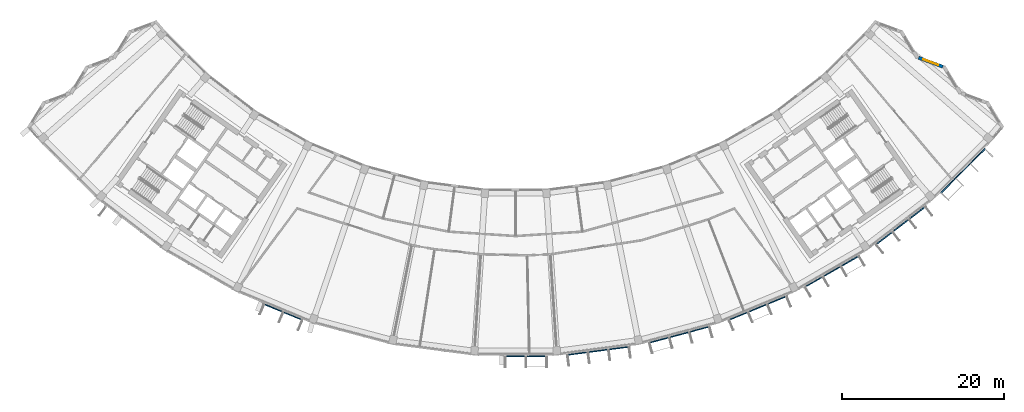
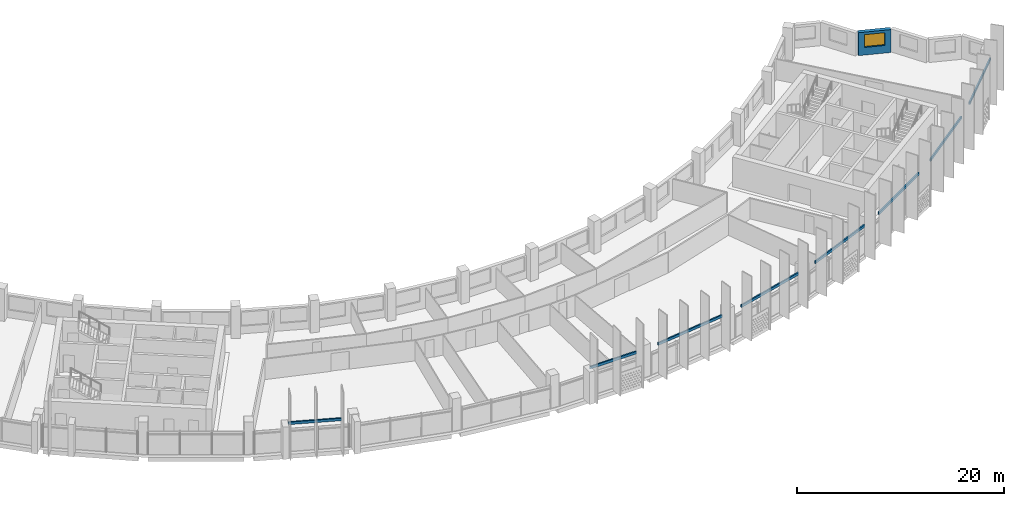
# One storey, part 8 of 28: 8 discrete accessories, 1 wall, 1 window, 1 opening.
"""IFC4 building model written with IfcOpenShell, lengths in metres."""

from ifc_helpers import new_model, si_unit, direction, frame, frame_2d, origin, origin_2d, place, context, subcontext, project, spatial, rectangle, extrude, material, layer, layer_set, type_object, element, fill, save


model = new_model("IFC4")

# Units and contexts
model_context = context("Model", 3, precision=1e-05, world=origin(), true_north=direction((0.0, 1.0)))
body_context = subcontext(model_context, "Body", "Model", "MODEL_VIEW")
ifc_project = project(units=[si_unit("LENGTHUNIT", "METRE"), si_unit("AREAUNIT", "SQUARE_METRE"), si_unit("VOLUMEUNIT", "CUBIC_METRE"), si_unit("PLANEANGLEUNIT", "RADIAN"), si_unit("MASSUNIT", "GRAM", prefix="KILO")], contexts=[model_context])

# Site, building, storey
site_placement = place(None, origin())
site = spatial("IfcSite", under=ifc_project, at=site_placement, CompositionType="ELEMENT")
building_placement = place(site_placement, origin())
building = spatial("IfcBuilding", under=site, at=building_placement, Name="Qamariyya Broadcast Tower", CompositionType="ELEMENT")
storey_placement = place(building_placement, frame((0.0, 0.0, 273.300048828125)))
storey = spatial("IfcBuildingStorey", under=building, at=storey_placement, Name="L66", CompositionType="ELEMENT", Elevation=273.300048828125)

# Wall, opening, window
ifc_material_1 = material(Name="Terracotta", Category="masonry")
ifc_layer = layer(ifc_material_1, 0.39990234375)
ifc_layer_set = layer_set([ifc_layer], Name="Terracotta clad wall 400")
wall_type = type_object("IfcWallType", Name="Terracotta clad wall 400", PredefinedType="SOLIDWALL", material=ifc_layer_set)
wall_placement = place(storey_placement, frame((52.85009765625, -42.448486328125, 0.0), z_axis=(0.0, 0.0, 1.0), x_axis=(-0.937810422305, 0.347147824157, 0.0)))
wall = element("IfcWall", 1, at=wall_placement, inside=storey, type_object=wall_type, Name="e-wl-L66-capE3", PredefinedType="SOLIDWALL", context=body_context, shape_type="SweptSolid", body=[
    extrude(rectangle(XDim=3.19921875, YDim=0.39990234375, at=frame_2d((1.599609375, 0.0))), origin(), (0.0, 0.0, 1.0), 2.699951171875),
])
opening_placement = place(wall_placement, frame((0.599609375, 0.0, 0.89990234375)))
opening = element("IfcOpeningElement", 2, at=opening_placement, cuts=wall, Name="Opening W4", PredefinedType="OPENING", context=body_context, shape_type="SweptSolid", body=[
    extrude(rectangle(XDim=2.0, YDim=1.5, at=frame_2d((1.0, 0.75))), frame((0.0, 0.2099609375, 0.0), z_axis=(0.0, -1.0, 0.0), x_axis=(1.0, 0.0, 0.0)), (0.0, 0.0, 1.0), 0.419921875),
])
ifc_material_2 = material(Name="Clear low-e double glazed unit in aluminium frame", Category="aluminium")
window_type = type_object("IfcWindowType", Name="Horn bay window 2000 x 1500", PartitioningType="SINGLE_PANEL", PredefinedType="WINDOW", material=ifc_material_2)
window_placement = place(opening_placement, origin())
window = element("IfcWindow", 3, at=window_placement, inside=storey, type_object=window_type, Name="e-w-L66-capE3", OverallHeight=1.5, OverallWidth=2.0, PartitioningType="SINGLE_PANEL", PredefinedType="WINDOW", context=body_context, shape_type="SweptSolid", body=[
    extrude(rectangle(XDim=2.0, YDim=1.5, at=frame_2d((1.0, 0.75))), frame((0.0, 0.030029296875, 0.0), z_axis=(0.0, -1.0, 0.0), x_axis=(1.0, 0.0, 0.0)), (0.0, 0.0, 1.0), 0.06005859375),
])
fill(opening, window)

# Discrete accessories
ifc_material_3 = material(Name="Stainless steel 316", Category="steel")
discrete_accessory_type = type_object("IfcDiscreteAccessoryType", Name="Slab edge fixing angle, stainless steel", PredefinedType="BRACKET", material=ifc_material_3)
for number, where, z_axis, x_axis, name in (
    (4, (-28.76416015625, -72.79052734375, 3.2998046875), (0.0, 0.0, 1.0), (0.923879532511, -0.382683432365, 0.0), "e-br-L66-04-0"),
    (5, (1.281005859375, -78.25732421875, 3.2998046875), (0.0, 0.0, 1.0), (1.0, 0.0, 0.0), "e-br-L66-07-0"),
):
    element("IfcDiscreteAccessory", number, at=place(storey_placement, frame(where, z_axis=z_axis, x_axis=x_axis)), inside=storey, type_object=discrete_accessory_type, Name=name, PredefinedType="BRACKET", context=body_context, shape_type="SweptSolid", body=[
        extrude(rectangle(XDim=5.224365234375, YDim=0.14990234375, at=origin_2d()), origin(), (0.0, 0.0, 1.0), 0.300048828125),
    ])
for number, where, z_axis, x_axis, name in (
    (6, (10.214599609375, -77.587646484375, 3.2998046875), (0.0, 0.0, 1.0), (0.991444861374, 0.13052619222, 0.0), "e-br-L66-08-0"),
    (7, (20.25439453125, -75.590576171875, 3.2998046875), (0.0, 0.0, 1.0), (0.965925826289, 0.258819045103, 0.0), "e-br-L66-09-0"),
    (8, (29.94775390625, -72.30029296875, 3.2998046875), (0.0, 0.0, 1.0), (0.923879532511, 0.382683432365, 0.0), "e-br-L66-10-0"),
    (9, (39.128662109375, -67.772705078125, 3.2998046875), (0.0, 0.0, 1.0), (0.866025403784, 0.5, 0.0), "e-br-L66-11-0"),
    (10, (47.639892578125, -62.085693359375, 3.2998046875), (0.0, 0.0, 1.0), (0.793353340291, 0.608761429009, 0.0), "e-br-L66-12-0"),
    (11, (55.336181640625, -55.336181640625, 3.2998046875), (0.0, 0.0, 1.0), (0.707106781187, 0.707106781187, 0.0), "e-br-L66-13-0"),
):
    element("IfcDiscreteAccessory", number, at=place(storey_placement, frame(where, z_axis=z_axis, x_axis=x_axis)), inside=storey, type_object=discrete_accessory_type, Name=name, PredefinedType="BRACKET", context=body_context, shape_type="SweptSolid", body=[
        extrude(rectangle(XDim=7.78662109375, YDim=0.14990234375, at=origin_2d()), origin(), (0.0, 0.0, 1.0), 0.300048828125),
    ])

save(model, "model.ifc")
